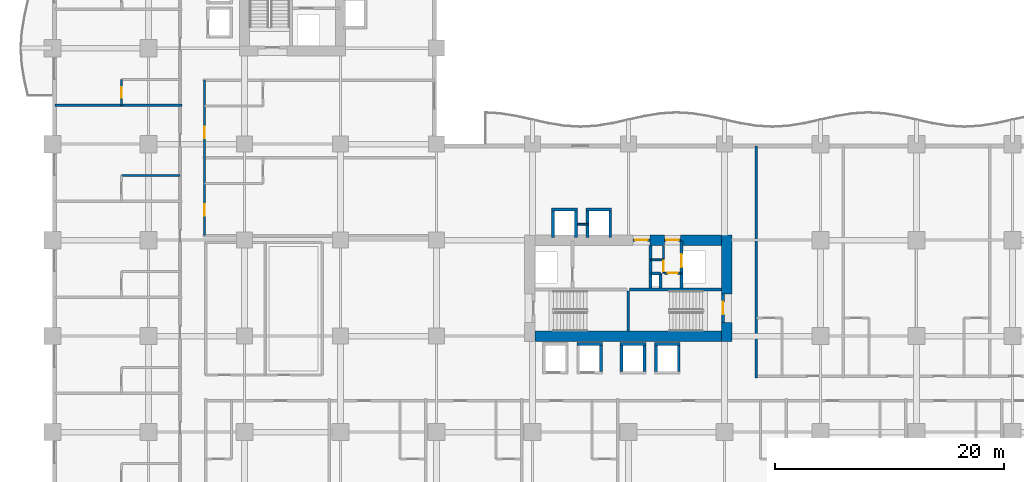
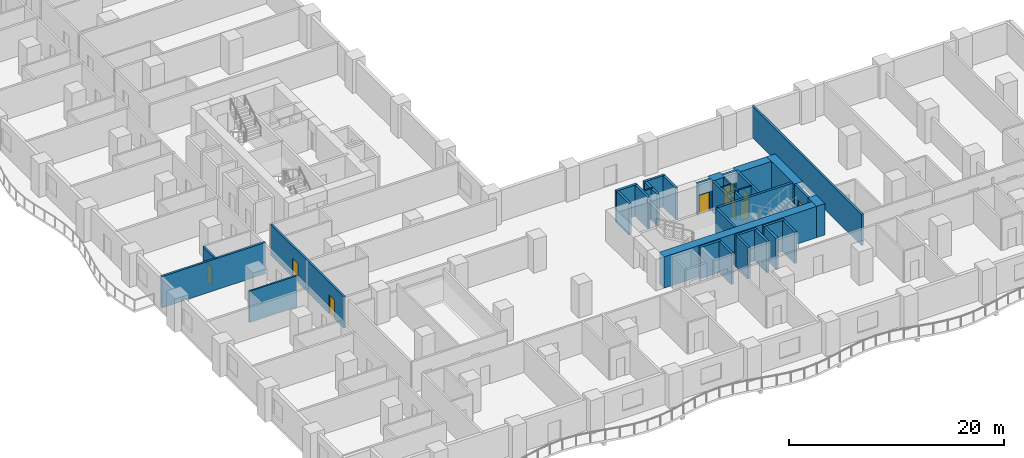
# One storey, part 13 of 26: 37 walls, 9 doors, 9 openings.
"""IFC4 building model written with IfcOpenShell, lengths in metres."""

from ifc_helpers import new_model, si_unit, direction, frame, frame_2d, origin, place, context, subcontext, project, spatial, rectangle, extrude, material, layer, layer_set, type_object, element, fill, save


model = new_model("IFC4")

# Units and contexts
model_context = context("Model", 3, precision=1e-05, world=origin(), true_north=direction((0.0, 1.0)))
body_context = subcontext(model_context, "Body", "Model", "MODEL_VIEW")
ifc_project = project(units=[si_unit("LENGTHUNIT", "METRE"), si_unit("AREAUNIT", "SQUARE_METRE"), si_unit("VOLUMEUNIT", "CUBIC_METRE"), si_unit("PLANEANGLEUNIT", "RADIAN"), si_unit("MASSUNIT", "GRAM", prefix="KILO")], contexts=[model_context])

# Site, building, storey
site_placement = place(None, origin())
site = spatial("IfcSite", under=ifc_project, at=site_placement, CompositionType="ELEMENT")
building_placement = place(site_placement, origin())
building = spatial("IfcBuilding", under=site, at=building_placement, Name="Koriwani Terraces Tower", CompositionType="ELEMENT")
storey_placement = place(building_placement, frame((0.0, 0.0, 39.60009765625)))
storey = spatial("IfcBuildingStorey", under=building, at=storey_placement, Name="L08", CompositionType="ELEMENT", Elevation=39.60009765625)

# Walls
ifc_material_1 = material(Name="Concrete C60/75", Category="concrete")
ifc_layer_1 = layer(ifc_material_1, 0.89990234375, Name="Concrete C60/75")
ifc_layer_set_1 = layer_set([ifc_layer_1], Name="Concrete C60/75")
wall_type_1 = type_object("IfcWallType", Name="WALL_CORE_RC_900", PredefinedType="SHEAR", material=ifc_layer_set_1)
wall_1_placement = place(storey_placement, frame((59.0, 16.35009765625, 0.0), z_axis=(0.0, 0.0, 1.0), x_axis=(0.0, 1.0, 0.0)))
element("IfcWall", 1, at=wall_1_placement, inside=storey, type_object=wall_type_1, Name="L08 East Split Core Shear Wall E1", PredefinedType="SHEAR", context=body_context, shape_type="SweptSolid", body=[
    extrude(rectangle(XDim=1.64990234375, YDim=0.89990234375, at=frame_2d((0.824951171875, 0.0))), origin(), (0.0, 0.0, 1.0), 3.5498046875),
])
wall_2_placement = place(storey_placement, frame((59.0, 20.5, 0.0), z_axis=(0.0, 0.0, 1.0), x_axis=(0.0, 1.0, 0.0)))
element("IfcWall", 2, at=wall_2_placement, inside=storey, type_object=wall_type_1, Name="L08 East Split Core Shear Wall E2", PredefinedType="SHEAR", context=body_context, shape_type="SweptSolid", body=[
    extrude(rectangle(XDim=5.14990234375, YDim=0.89990234375, at=frame_2d((2.574951171875, 0.0))), origin(), (0.0, 0.0, 1.0), 3.5498046875),
])
wall_3_placement = place(storey_placement, frame((42.199951171875, 16.800048828125, 0.0), z_axis=(0.0, 0.0, 1.0), x_axis=(1.0, 0.0, 0.0)))
element("IfcWall", 3, at=wall_3_placement, inside=storey, type_object=wall_type_1, Name="L08 East Split Core Shear Wall S1", PredefinedType="SHEAR", context=body_context, shape_type="SweptSolid", body=[
    extrude(rectangle(XDim=16.35009765625, YDim=0.89990234375, at=frame_2d((8.175048828125, 0.0))), origin(), (0.0, 0.0, 1.0), 3.5498046875),
])
wall_4_placement = place(storey_placement, frame((52.280029296875, 25.199951171875, 0.0), z_axis=(0.0, 0.0, 1.0), x_axis=(1.0, 0.0, 0.0)))
element("IfcWall", 4, at=wall_4_placement, inside=storey, type_object=wall_type_1, Name="L08 East Split Core Shear Wall N2", PredefinedType="SHEAR", context=body_context, shape_type="SweptSolid", body=[
    extrude(rectangle(XDim=1.27001953125, YDim=0.89990234375, at=frame_2d((0.635009765625, 0.0))), origin(), (0.0, 0.0, 1.0), 3.5498046875),
])
wall_5_placement = place(storey_placement, frame((54.949951171875, 25.199951171875, 0.0), z_axis=(0.0, 0.0, 1.0), x_axis=(1.0, 0.0, 0.0)))
element("IfcWall", 5, at=wall_5_placement, inside=storey, type_object=wall_type_1, Name="L08 East Split Core Shear Wall N3", PredefinedType="SHEAR", context=body_context, shape_type="SweptSolid", body=[
    extrude(rectangle(XDim=3.60009765625, YDim=0.89990234375, at=frame_2d((1.800048828125, 0.0))), origin(), (0.0, 0.0, 1.0), 3.5498046875),
])

# Wall, openings, doors
ifc_material_2 = material(Name="Autoclaved Cellular Concrete Blockwork", Category="masonry")
ifc_layer_2 = layer(ifc_material_2, 0.199951171875, Name="Autoclaved Cellular Concrete Blockwork")
ifc_layer_set_2 = layer_set([ifc_layer_2], Name="Autoclaved Cellular Concrete Blockwork")
wall_type_2 = type_object("IfcWallType", Name="WALL_CORRIDOR_200", PredefinedType="PARTITIONING", material=ifc_layer_set_2)
wall_6_placement = place(storey_placement, frame((13.300048828125, 25.60009765625, 0.0), z_axis=(0.0, 0.0, 1.0), x_axis=(0.0, 1.0, 0.0)))
wall_6 = element("IfcWall", 6, at=wall_6_placement, inside=storey, type_object=wall_type_2, Name="L08 Interior Wall WCOR-L08-NWI-0", PredefinedType="PARTITIONING", context=body_context, shape_type="SweptSolid", body=[
    extrude(rectangle(XDim=13.599853515625, YDim=0.199951171875, at=frame_2d((6.7998046875, 0.0))), origin(), (0.0, 0.0, 1.0), 3.5498046875),
])
opening_1_placement = place(wall_6_placement, frame((1.735107421875, 0.0, 0.0)))
opening_1 = element("IfcOpeningElement", 7, at=opening_1_placement, cuts=wall_6, Name="Opening D-05", PredefinedType="OPENING", context=body_context, shape_type="SweptSolid", body=[
    extrude(rectangle(XDim=1.0, YDim=2.14990234375, at=frame_2d((0.5, 1.074951171875))), frame((0.0, 0.10986328125, 0.0), z_axis=(0.0, -1.0, 0.0), x_axis=(1.0, 0.0, 0.0)), (0.0, 0.0, 1.0), 0.219970703125),
])
opening_2_placement = place(wall_6_placement, frame((8.534912109375, 0.0, 0.0)))
opening_2 = element("IfcOpeningElement", 8, at=opening_2_placement, cuts=wall_6, Name="Opening D-05", PredefinedType="OPENING", context=body_context, shape_type="SweptSolid", body=[
    extrude(rectangle(XDim=1.0, YDim=2.14990234375, at=frame_2d((0.5, 1.074951171875))), frame((0.0, 0.10986328125, 0.0), z_axis=(0.0, -1.0, 0.0), x_axis=(1.0, 0.0, 0.0)), (0.0, 0.0, 1.0), 0.219970703125),
])
ifc_material_3 = material(Name="Architectural Oak Fire Door", Category="wood")
door_type_1 = type_object("IfcDoorType", Name="DOOR_SUITE_ENTRY_1000X2150", OperationType="NOTDEFINED", PredefinedType="DOOR", material=ifc_material_3)
door_1_placement = place(opening_1_placement, origin())
door_1 = element("IfcDoor", 9, at=door_1_placement, inside=storey, type_object=door_type_1, Name="Luxury Hotel Suite 08NWI1 Entrance Door", OperationType="SINGLE_SWING_RIGHT", OverallHeight=2.14990234375, OverallWidth=1.0, PredefinedType="DOOR", context=body_context, shape_type="SweptSolid", body=[
    extrude(rectangle(XDim=1.0, YDim=2.14990234375, at=frame_2d((0.5, 1.074951171875))), frame((0.0, 0.02490234375, 0.0), z_axis=(0.0, -1.0, 0.0), x_axis=(1.0, 0.0, 0.0)), (0.0, 0.0, 1.0), 0.050048828125),
])
fill(opening_1, door_1)
door_2_placement = place(opening_2_placement, origin())
door_2 = element("IfcDoor", 10, at=door_2_placement, inside=storey, type_object=door_type_1, Name="Luxury Hotel Suite 08NWI2 Entrance Door", OperationType="SINGLE_SWING_RIGHT", OverallHeight=2.14990234375, OverallWidth=1.0, PredefinedType="DOOR", context=body_context, shape_type="SweptSolid", body=[
    extrude(rectangle(XDim=1.0, YDim=2.14990234375, at=frame_2d((0.5, 1.074951171875))), frame((0.0, 0.02490234375, 0.0), z_axis=(0.0, -1.0, 0.0), x_axis=(1.0, 0.0, 0.0)), (0.0, 0.0, 1.0), 0.050048828125),
])
fill(opening_2, door_2)

# Walls
ifc_layer_3 = layer(ifc_material_2, 0.219970703125, Name="Autoclaved Cellular Concrete Blockwork")
ifc_layer_set_3 = layer_set([ifc_layer_3], Name="Autoclaved Cellular Concrete Blockwork")
wall_type_3 = type_object("IfcWallType", Name="WALL_DEMISING_220", PredefinedType="PARTITIONING", material=ifc_layer_set_3)
wall_7_placement = place(storey_placement, frame((0.199951171875, 37.0, 0.0), z_axis=(0.0, 0.0, 1.0), x_axis=(1.0, 0.0, 0.0)))
element("IfcWall", 11, at=wall_7_placement, inside=storey, type_object=wall_type_3, Name="L08 Interior Wall WDEM-L08-NW-4", PredefinedType="PARTITIONING", context=body_context, shape_type="SweptSolid", body=[
    extrude(rectangle(XDim=11.130126953125, YDim=0.219970703125, at=frame_2d((5.56494140625, 0.0))), origin(), (0.0, 0.0, 1.0), 3.5498046875),
])
wall_8_placement = place(storey_placement, frame((61.60009765625, 13.14990234375, 0.0), z_axis=(0.0, 0.0, 1.0), x_axis=(0.0, 1.0, 0.0)))
element("IfcWall", 12, at=wall_8_placement, inside=storey, type_object=wall_type_3, Name="L08 Interior Wall WDEM-L08-SE-0", PredefinedType="PARTITIONING", context=body_context, shape_type="SweptSolid", body=[
    extrude(rectangle(XDim=20.280029296875, YDim=0.219970703125, at=frame_2d((10.14013671875, 0.0))), origin(), (0.0, 0.0, 1.0), 3.5498046875),
])
ifc_material_4 = material(Name="Fire-Rated Acoustic Gypsum Partition", Category="masonry")
ifc_layer_4 = layer(ifc_material_4, 0.179931640625, Name="Fire-Rated Acoustic Gypsum Partition")
ifc_layer_set_4 = layer_set([ifc_layer_4], Name="Fire-Rated Acoustic Gypsum Partition")
wall_type_4 = type_object("IfcWallType", Name="WALL_PLUMBING_180", PredefinedType="PLUMBINGWALL", material=ifc_layer_set_4)
wall_9_placement = place(storey_placement, frame((6.050048828125, 30.85009765625, 0.0), z_axis=(0.0, 0.0, 1.0), x_axis=(1.0, 0.0, 0.0)))
element("IfcWall", 13, at=wall_9_placement, inside=storey, type_object=wall_type_4, Name="L08 Interior Wall WBTH2-L08-NW-3", PredefinedType="PLUMBINGWALL", context=body_context, shape_type="SweptSolid", body=[
    extrude(rectangle(XDim=5.099853515625, YDim=0.179931640625, at=frame_2d((2.5498046875, 0.0))), origin(), (0.0, 0.0, 1.0), 3.5498046875),
])

# Wall, opening, door
wall_10_placement = place(storey_placement, frame((6.050048828125, 37.0, 0.0), z_axis=(0.0, 0.0, 1.0), x_axis=(0.0, 1.0, 0.0)))
wall_10 = element("IfcWall", 14, at=wall_10_placement, inside=storey, type_object=wall_type_4, Name="L08 Interior Wall WBTH1-L08-NW-4", PredefinedType="PLUMBINGWALL", context=body_context, shape_type="SweptSolid", body=[
    extrude(rectangle(XDim=2.25, YDim=0.179931640625, at=frame_2d((1.125, 0.0))), origin(), (0.0, 0.0, 1.0), 3.5498046875),
])
opening_3_placement = place(wall_10_placement, frame((0.675048828125, 0.0, 0.0)))
opening_3 = element("IfcOpeningElement", 15, at=opening_3_placement, cuts=wall_10, Name="Opening D-07", PredefinedType="OPENING", context=body_context, shape_type="SweptSolid", body=[
    extrude(rectangle(XDim=0.89990234375, YDim=2.10009765625, at=frame_2d((0.449951171875, 1.050048828125))), frame((0.0, 0.10009765625, 0.0), z_axis=(0.0, -1.0, 0.0), x_axis=(1.0, 0.0, 0.0)), (0.0, 0.0, 1.0), 0.199951171875),
])
door_type_2 = type_object("IfcDoorType", Name="DOOR_BATH_INT_900X2100", OperationType="NOTDEFINED", PredefinedType="DOOR", material=ifc_material_3)
door_3_placement = place(opening_3_placement, origin())
door_3 = element("IfcDoor", 16, at=door_3_placement, inside=storey, type_object=door_type_2, Name="En-Suite Bathroom 08NW5 Door", OperationType="SINGLE_SWING_LEFT", OverallHeight=2.10009765625, OverallWidth=0.89990234375, PredefinedType="DOOR", context=body_context, shape_type="SweptSolid", body=[
    extrude(rectangle(XDim=0.89990234375, YDim=2.10009765625, at=frame_2d((0.449951171875, 1.050048828125))), frame((0.0, 0.02490234375, 0.0), z_axis=(0.0, -1.0, 0.0), x_axis=(1.0, 0.0, 0.0)), (0.0, 0.0, 1.0), 0.050048828125),
])
fill(opening_3, door_3)

# Walls
ifc_material_5 = material(Name="Concrete C40/50", Category="concrete")
ifc_layer_5 = layer(ifc_material_5, 0.25, Name="Concrete C40/50")
ifc_layer_set_5 = layer_set([ifc_layer_5], Name="Concrete C40/50")
wall_type_5 = type_object("IfcWallType", Name="WALL_SHAFT_RATED_250", PredefinedType="SOLIDWALL", material=ifc_layer_set_5)
wall_11_placement = place(storey_placement, frame((50.5, 20.875, 0.0), z_axis=(0.0, 0.0, 1.0), x_axis=(1.0, 0.0, 0.0)))
element("IfcWall", 17, at=wall_11_placement, inside=storey, type_object=wall_type_5, Name="L08 East Split Core Web Wall MID2", PredefinedType="SOLIDWALL", context=body_context, shape_type="SweptSolid", body=[
    extrude(rectangle(XDim=8.050048828125, YDim=0.25, at=frame_2d((4.02490234375, 0.0))), origin(), (0.0, 0.0, 1.0), 3.5498046875),
])
wall_12_placement = place(storey_placement, frame((50.375, 17.25, 0.0), z_axis=(0.0, 0.0, 1.0), x_axis=(0.0, 1.0, 0.0)))
element("IfcWall", 18, at=wall_12_placement, inside=storey, type_object=wall_type_5, Name="L08 East Split Core Stair Dividing Wall", PredefinedType="SOLIDWALL", context=body_context, shape_type="SweptSolid", body=[
    extrude(rectangle(XDim=3.5, YDim=0.25, at=frame_2d((1.75, 0.0))), origin(), (0.0, 0.0, 1.0), 3.5498046875),
])

# Wall, opening, door
wall_13_placement = place(storey_placement, frame((58.675048828125, 18.0, 0.0), z_axis=(0.0, 0.0, 1.0), x_axis=(0.0, 1.0, 0.0)))
wall_13 = element("IfcWall", 19, at=wall_13_placement, inside=storey, type_object=wall_type_5, Name="L08 Interior Wall WIN-CE-L08-STE", PredefinedType="SOLIDWALL", context=body_context, shape_type="SweptSolid", body=[
    extrude(rectangle(XDim=2.5, YDim=0.25, at=frame_2d((1.25, 0.0))), origin(), (0.0, 0.0, 1.0), 3.5498046875),
])
opening_4_placement = place(wall_13_placement, frame((0.699951171875, 0.0, 0.0)))
opening_4 = element("IfcOpeningElement", 20, at=opening_4_placement, cuts=wall_13, Name="Opening D-03", PredefinedType="OPENING", context=body_context, shape_type="SweptSolid", body=[
    extrude(rectangle(XDim=1.10009765625, YDim=2.14990234375, at=frame_2d((0.550048828125, 1.074951171875))), frame((0.0, 0.135009765625, 0.0), z_axis=(0.0, -1.0, 0.0), x_axis=(1.0, 0.0, 0.0)), (0.0, 0.0, 1.0), 0.27001953125),
])
ifc_material_6 = material(Name="Steel ASTM A572 Grade 50", Category="steel")
door_type_3 = type_object("IfcDoorType", Name="DOOR_STAIR_FIRE_1100X2150", OperationType="NOTDEFINED", PredefinedType="DOOR", material=ifc_material_6)
door_4_placement = place(opening_4_placement, origin())
door_4 = element("IfcDoor", 21, at=door_4_placement, inside=storey, type_object=door_type_3, Name="L08 Exit Stair ST-E2 Door", OperationType="SINGLE_SWING_RIGHT", OverallHeight=2.14990234375, OverallWidth=1.10009765625, PredefinedType="DOOR", context=body_context, shape_type="SweptSolid", body=[
    extrude(rectangle(XDim=1.10009765625, YDim=2.14990234375, at=frame_2d((0.550048828125, 1.074951171875))), frame((0.0, 0.02490234375, 0.0), z_axis=(0.0, -1.0, 0.0), x_axis=(1.0, 0.0, 0.0)), (0.0, 0.0, 1.0), 0.050048828125),
])
fill(opening_4, door_4)

wall_14_placement = place(storey_placement, frame((50.800048828125, 25.199951171875, 0.0), z_axis=(0.0, 0.0, 1.0), x_axis=(1.0, 0.0, 0.0)))
wall_14 = element("IfcWall", 22, at=wall_14_placement, inside=storey, type_object=wall_type_5, Name="L08 Interior Wall WIN-CE-L08-NP", PredefinedType="SOLIDWALL", context=body_context, shape_type="SweptSolid", body=[
    extrude(rectangle(XDim=1.47998046875, YDim=0.25, at=frame_2d((0.739990234375, 0.0))), origin(), (0.0, 0.0, 1.0), 3.5498046875),
])
opening_5_placement = place(wall_14_placement, frame((0.179931640625, 0.0, 0.0)))
opening_5 = element("IfcOpeningElement", 23, at=opening_5_placement, cuts=wall_14, Name="Opening D-03", PredefinedType="OPENING", context=body_context, shape_type="SweptSolid", body=[
    extrude(rectangle(XDim=1.10009765625, YDim=2.14990234375, at=frame_2d((0.550048828125, 1.074951171875))), frame((0.0, 0.135009765625, 0.0), z_axis=(0.0, -1.0, 0.0), x_axis=(1.0, 0.0, 0.0)), (0.0, 0.0, 1.0), 0.27001953125),
])
door_5_placement = place(opening_5_placement, origin())
door_5 = element("IfcDoor", 24, at=door_5_placement, inside=storey, type_object=door_type_3, Name="L08 East Firefighting Lobby Door", OperationType="SINGLE_SWING_LEFT", OverallHeight=2.14990234375, OverallWidth=1.10009765625, PredefinedType="DOOR", context=body_context, shape_type="SweptSolid", body=[
    extrude(rectangle(XDim=1.10009765625, YDim=2.14990234375, at=frame_2d((0.550048828125, 1.074951171875))), frame((0.0, 0.02490234375, 0.0), z_axis=(0.0, -1.0, 0.0), x_axis=(1.0, 0.0, 0.0)), (0.0, 0.0, 1.0), 0.050048828125),
])
fill(opening_5, door_5)

# Wall
wall_15_placement = place(storey_placement, frame((52.340087890625, 21.0, 0.0), z_axis=(0.0, 0.0, 1.0), x_axis=(0.0, 1.0, 0.0)))
element("IfcWall", 25, at=wall_15_placement, inside=storey, type_object=wall_type_5, Name="L08 Interior Wall WIN-CE-L08-FFE", PredefinedType="SOLIDWALL", context=body_context, shape_type="SweptSolid", body=[
    extrude(rectangle(XDim=3.75, YDim=0.25, at=frame_2d((1.875, 0.0))), origin(), (0.0, 0.0, 1.0), 3.5498046875),
])

# Wall, opening, door
wall_16_placement = place(storey_placement, frame((55.050048828125, 21.0, 0.0), z_axis=(0.0, 0.0, 1.0), x_axis=(0.0, 1.0, 0.0)))
wall_16 = element("IfcWall", 26, at=wall_16_placement, inside=storey, type_object=wall_type_5, Name="L08 Interior Wall WIN-CE-L08-SE", PredefinedType="SOLIDWALL", context=body_context, shape_type="SweptSolid", body=[
    extrude(rectangle(XDim=4.14990234375, YDim=0.25, at=frame_2d((2.074951171875, 0.0))), origin(), (0.0, 0.0, 1.0), 3.5498046875),
])
opening_6_placement = place(wall_16_placement, frame((1.85009765625, 0.0, 0.0)))
opening_6 = element("IfcOpeningElement", 27, at=opening_6_placement, cuts=wall_16, Name="Opening LD-01", PredefinedType="OPENING", context=body_context, shape_type="SweptSolid", body=[
    extrude(rectangle(XDim=1.10009765625, YDim=2.14990234375, at=frame_2d((0.550048828125, 1.074951171875))), frame((0.0, 0.135009765625, 0.0), z_axis=(0.0, -1.0, 0.0), x_axis=(1.0, 0.0, 0.0)), (0.0, 0.0, 1.0), 0.27001953125),
])
door_type_4 = type_object("IfcDoorType", Name="DOOR_LIFT_LANDING_1100X2200", OperationType="NOTDEFINED", PredefinedType="DOOR", material=ifc_material_6)
door_6_placement = place(opening_6_placement, origin())
door_6 = element("IfcDoor", 28, at=door_6_placement, inside=storey, type_object=door_type_4, Name="L08 Goods Lift SE-02 Landing Door", OperationType="SLIDING_TO_LEFT", OverallHeight=2.14990234375, OverallWidth=1.10009765625, PredefinedType="DOOR", context=body_context, shape_type="SweptSolid", body=[
    extrude(rectangle(XDim=1.10009765625, YDim=2.14990234375, at=frame_2d((0.550048828125, 1.074951171875))), frame((0.0, 0.02490234375, 0.0), z_axis=(0.0, -1.0, 0.0), x_axis=(1.0, 0.0, 0.0)), (0.0, 0.0, 1.0), 0.050048828125),
])
fill(opening_6, door_6)

wall_17_placement = place(storey_placement, frame((53.550048828125, 25.199951171875, 0.0), z_axis=(0.0, 0.0, 1.0), x_axis=(1.0, 0.0, 0.0)))
wall_17 = element("IfcWall", 29, at=wall_17_placement, inside=storey, type_object=wall_type_5, Name="L08 Interior Wall WIN-CE-L08-NP2", PredefinedType="SOLIDWALL", context=body_context, shape_type="SweptSolid", body=[
    extrude(rectangle(XDim=1.39990234375, YDim=0.25, at=frame_2d((0.699951171875, 0.0))), origin(), (0.0, 0.0, 1.0), 3.5498046875),
])
opening_7_placement = place(wall_17_placement, frame((0.14990234375, 0.0, 0.0)))
opening_7 = element("IfcOpeningElement", 30, at=opening_7_placement, cuts=wall_17, Name="Opening D-03", PredefinedType="OPENING", context=body_context, shape_type="SweptSolid", body=[
    extrude(rectangle(XDim=1.10009765625, YDim=2.14990234375, at=frame_2d((0.550048828125, 1.074951171875))), frame((0.0, 0.135009765625, 0.0), z_axis=(0.0, -1.0, 0.0), x_axis=(1.0, 0.0, 0.0)), (0.0, 0.0, 1.0), 0.27001953125),
])
door_7_placement = place(opening_7_placement, origin())
door_7 = element("IfcDoor", 31, at=door_7_placement, inside=storey, type_object=door_type_3, Name="L08 East Goods Lift Lobby Door", OperationType="SINGLE_SWING_RIGHT", OverallHeight=2.14990234375, OverallWidth=1.10009765625, PredefinedType="DOOR", context=body_context, shape_type="SweptSolid", body=[
    extrude(rectangle(XDim=1.10009765625, YDim=2.14990234375, at=frame_2d((0.550048828125, 1.074951171875))), frame((0.0, 0.02490234375, 0.0), z_axis=(0.0, -1.0, 0.0), x_axis=(1.0, 0.0, 0.0)), (0.0, 0.0, 1.0), 0.050048828125),
])
fill(opening_7, door_7)

# Walls
wall_18_placement = place(storey_placement, frame((53.199951171875, 21.0, 0.0), z_axis=(0.0, 0.0, 1.0), x_axis=(0.0, 1.0, 0.0)))
element("IfcWall", 32, at=wall_18_placement, inside=storey, type_object=wall_type_5, Name="L08 Interior Wall WIN-CE-L08-RS1", PredefinedType="SOLIDWALL", context=body_context, shape_type="SweptSolid", body=[
    extrude(rectangle(XDim=1.300048828125, YDim=0.25, at=frame_2d((0.64990234375, 0.0))), origin(), (0.0, 0.0, 1.0), 3.5498046875),
])
wall_19_placement = place(storey_placement, frame((52.360107421875, 22.300048828125, 0.0), z_axis=(0.0, 0.0, 1.0), x_axis=(1.0, 0.0, 0.0)))
element("IfcWall", 33, at=wall_19_placement, inside=storey, type_object=wall_type_5, Name="L08 Interior Wall WIN-CE-L08-RS2", PredefinedType="SOLIDWALL", context=body_context, shape_type="SweptSolid", body=[
    extrude(rectangle(XDim=0.83984375, YDim=0.25, at=frame_2d((0.419921875, 0.0))), origin(), (0.0, 0.0, 1.0), 3.5498046875),
])
for number, where, z_axis, x_axis, name in (
    (34, (45.875, 16.10009765625, 0.0), (0.0, 0.0, 1.0), (1.0, 0.0, 0.0), "L08 Interior Wall WIN-LF-PE-L4-L08-B"),
    (35, (48.0, 13.72509765625, 0.0), (0.0, 0.0, 1.0), (0.0, 1.0, 0.0), "L08 Interior Wall WIN-LF-PE-L4-L08-E"),
    (36, (49.675048828125, 16.10009765625, 0.0), (0.0, 0.0, 1.0), (1.0, 0.0, 0.0), "L08 Interior Wall WIN-LF-PE-M3-L08-B"),
    (37, (49.800048828125, 13.72509765625, 0.0), (0.0, 0.0, 1.0), (0.0, 1.0, 0.0), "L08 Interior Wall WIN-LF-PE-M3-L08-W"),
    (38, (51.800048828125, 13.72509765625, 0.0), (0.0, 0.0, 1.0), (0.0, 1.0, 0.0), "L08 Interior Wall WIN-LF-PE-M3-L08-E"),
    (39, (52.675048828125, 16.10009765625, 0.0), (0.0, 0.0, 1.0), (1.0, 0.0, 0.0), "L08 Interior Wall WIN-LF-PE-M4-L08-B"),
    (40, (52.800048828125, 13.72509765625, 0.0), (0.0, 0.0, 1.0), (0.0, 1.0, 0.0), "L08 Interior Wall WIN-LF-PE-M4-L08-W"),
    (41, (54.800048828125, 13.72509765625, 0.0), (0.0, 0.0, 1.0), (0.0, 1.0, 0.0), "L08 Interior Wall WIN-LF-PE-M4-L08-E"),
    (42, (43.675048828125, 27.89990234375, 0.0), (0.0, 0.0, 1.0), (1.0, 0.0, 0.0), "L08 Interior Wall WIN-LF-PE-H3-L08-F"),
):
    element("IfcWall", number, at=place(storey_placement, frame(where, z_axis=z_axis, x_axis=x_axis)), inside=storey, type_object=wall_type_5, Name=name, PredefinedType="SOLIDWALL", context=body_context, shape_type="SweptSolid", body=[
        extrude(rectangle(XDim=2.25, YDim=0.25, at=frame_2d((1.125, 0.0))), origin(), (0.0, 0.0, 1.0), 3.5498046875),
    ])
for number, where, z_axis, x_axis, name in (
    (43, (43.800048828125, 25.449951171875, 0.0), (0.0, 0.0, 1.0), (0.0, 1.0, 0.0), "L08 Interior Wall WIN-LF-PE-H3-L08-W"),
    (44, (45.800048828125, 25.449951171875, 0.0), (0.0, 0.0, 1.0), (0.0, 1.0, 0.0), "L08 Interior Wall WIN-LF-PE-H3-L08-E"),
):
    element("IfcWall", number, at=place(storey_placement, frame(where, z_axis=z_axis, x_axis=x_axis)), inside=storey, type_object=wall_type_5, Name=name, PredefinedType="SOLIDWALL", context=body_context, shape_type="SweptSolid", body=[
        extrude(rectangle(XDim=2.324951171875, YDim=0.25, at=frame_2d((1.16259765625, 0.0))), origin(), (0.0, 0.0, 1.0), 3.5498046875),
    ])
wall_20_placement = place(storey_placement, frame((46.675048828125, 27.89990234375, 0.0), z_axis=(0.0, 0.0, 1.0), x_axis=(1.0, 0.0, 0.0)))
element("IfcWall", 45, at=wall_20_placement, inside=storey, type_object=wall_type_5, Name="L08 Interior Wall WIN-LF-PE-H4-L08-F", PredefinedType="SOLIDWALL", context=body_context, shape_type="SweptSolid", body=[
    extrude(rectangle(XDim=2.25, YDim=0.25, at=frame_2d((1.125, 0.0))), origin(), (0.0, 0.0, 1.0), 3.5498046875),
])
for number, where, z_axis, x_axis, name in (
    (46, (46.800048828125, 25.449951171875, 0.0), (0.0, 0.0, 1.0), (0.0, 1.0, 0.0), "L08 Interior Wall WIN-LF-PE-H4-L08-W"),
    (47, (48.800048828125, 25.449951171875, 0.0), (0.0, 0.0, 1.0), (0.0, 1.0, 0.0), "L08 Interior Wall WIN-LF-PE-H4-L08-E"),
):
    element("IfcWall", number, at=place(storey_placement, frame(where, z_axis=z_axis, x_axis=x_axis)), inside=storey, type_object=wall_type_5, Name=name, PredefinedType="SOLIDWALL", context=body_context, shape_type="SweptSolid", body=[
        extrude(rectangle(XDim=2.324951171875, YDim=0.25, at=frame_2d((1.16259765625, 0.0))), origin(), (0.0, 0.0, 1.0), 3.5498046875),
    ])

# Wall, opening, door
ifc_layer_6 = layer(ifc_material_4, 0.159912109375, Name="Fire-Rated Acoustic Gypsum Partition")
ifc_layer_set_6 = layer_set([ifc_layer_6], Name="Fire-Rated Acoustic Gypsum Partition")
wall_type_6 = type_object("IfcWallType", Name="WALL_SUITE_160", PredefinedType="PARTITIONING", material=ifc_layer_set_6)
wall_21_placement = place(storey_placement, frame((53.56005859375, 22.320068359375, 0.0), z_axis=(0.0, 0.0, 1.0), x_axis=(1.0, 0.0, 0.0)))
wall_21 = element("IfcWall", 48, at=wall_21_placement, inside=storey, type_object=wall_type_6, Name="L08 Interior Wall WIN-CE-L08-SV2A", PredefinedType="PARTITIONING", context=body_context, shape_type="SweptSolid", body=[
    extrude(rectangle(XDim=1.43994140625, YDim=0.159912109375, at=frame_2d((0.719970703125, 0.0))), origin(), (0.0, 0.0, 1.0), 3.5498046875),
])
opening_8_placement = place(wall_21_placement, frame((0.260009765625, 0.0, 0.0)))
opening_8 = element("IfcOpeningElement", 49, at=opening_8_placement, cuts=wall_21, Name="Opening D-07", PredefinedType="OPENING", context=body_context, shape_type="SweptSolid", body=[
    extrude(rectangle(XDim=0.89990234375, YDim=2.10009765625, at=frame_2d((0.449951171875, 1.050048828125))), frame((0.0, 0.08984375, 0.0), z_axis=(0.0, -1.0, 0.0), x_axis=(1.0, 0.0, 0.0)), (0.0, 0.0, 1.0), 0.179931640625),
])
door_8_placement = place(opening_8_placement, origin())
door_8 = element("IfcDoor", 50, at=door_8_placement, inside=storey, type_object=door_type_2, Name="L08 East Meter Room Door", OperationType="SINGLE_SWING_LEFT", OverallHeight=2.10009765625, OverallWidth=0.89990234375, PredefinedType="DOOR", context=body_context, shape_type="SweptSolid", body=[
    extrude(rectangle(XDim=0.89990234375, YDim=2.10009765625, at=frame_2d((0.449951171875, 1.050048828125))), frame((0.0, 0.02490234375, 0.0), z_axis=(0.0, -1.0, 0.0), x_axis=(1.0, 0.0, 0.0)), (0.0, 0.0, 1.0), 0.050048828125),
])
fill(opening_8, door_8)

wall_22_placement = place(storey_placement, frame((53.4599609375, 22.320068359375, 0.0), z_axis=(0.0, 0.0, 1.0), x_axis=(0.0, 1.0, 0.0)))
wall_22 = element("IfcWall", 51, at=wall_22_placement, inside=storey, type_object=wall_type_6, Name="L08 Interior Wall WIN-CE-L08-SV2H", PredefinedType="PARTITIONING", context=body_context, shape_type="SweptSolid", body=[
    extrude(rectangle(XDim=2.35986328125, YDim=0.159912109375, at=frame_2d((1.179931640625, 0.0))), origin(), (0.0, 0.0, 1.0), 3.5498046875),
])
opening_9_placement = place(wall_22_placement, frame((0.159912109375, 0.0, 0.0)))
opening_9 = element("IfcOpeningElement", 52, at=opening_9_placement, cuts=wall_22, Name="Opening D-07", PredefinedType="OPENING", context=body_context, shape_type="SweptSolid", body=[
    extrude(rectangle(XDim=0.89990234375, YDim=2.10009765625, at=frame_2d((0.449951171875, 1.050048828125))), frame((0.0, 0.08984375, 0.0), z_axis=(0.0, -1.0, 0.0), x_axis=(1.0, 0.0, 0.0)), (0.0, 0.0, 1.0), 0.179931640625),
])
door_9_placement = place(opening_9_placement, origin())
door_9 = element("IfcDoor", 53, at=door_9_placement, inside=storey, type_object=door_type_2, Name="L08 East Valve Room Door", OperationType="SINGLE_SWING_RIGHT", OverallHeight=2.10009765625, OverallWidth=0.89990234375, PredefinedType="DOOR", context=body_context, shape_type="SweptSolid", body=[
    extrude(rectangle(XDim=0.89990234375, YDim=2.10009765625, at=frame_2d((0.449951171875, 1.050048828125))), frame((0.0, 0.02490234375, 0.0), z_axis=(0.0, -1.0, 0.0), x_axis=(1.0, 0.0, 0.0)), (0.0, 0.0, 1.0), 0.050048828125),
])
fill(opening_9, door_9)

# Walls
wall_23_placement = place(storey_placement, frame((52.360107421875, 23.47998046875, 0.0), z_axis=(0.0, 0.0, 1.0), x_axis=(1.0, 0.0, 0.0)))
element("IfcWall", 54, at=wall_23_placement, inside=storey, type_object=wall_type_6, Name="L08 Interior Wall WIN-CE-L08-SV2V", PredefinedType="PARTITIONING", context=body_context, shape_type="SweptSolid", body=[
    extrude(rectangle(XDim=1.099853515625, YDim=0.159912109375, at=frame_2d((0.5498046875, 0.0))), origin(), (0.0, 0.0, 1.0), 3.5498046875),
])
wall_24_placement = place(storey_placement, frame((45.9599609375, 26.60009765625, 0.0), z_axis=(0.0, 0.0, 1.0), x_axis=(1.0, 0.0, 0.0)))
element("IfcWall", 55, at=wall_24_placement, inside=storey, type_object=wall_type_6, Name="L08 Interior Wall WIN-LF-PEH34-MID-L08", PredefinedType="PARTITIONING", context=body_context, shape_type="SweptSolid", body=[
    extrude(rectangle(XDim=0.880126953125, YDim=0.159912109375, at=frame_2d((0.43994140625, 0.0))), origin(), (0.0, 0.0, 1.0), 3.5498046875),
])

save(model, "model.ifc")
